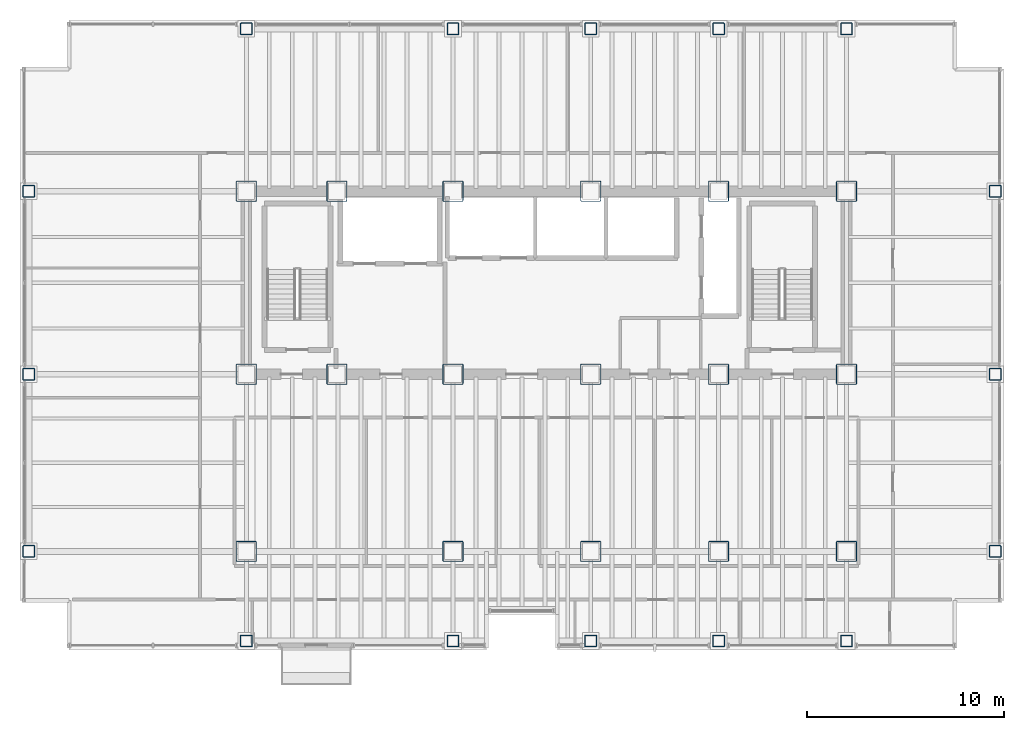
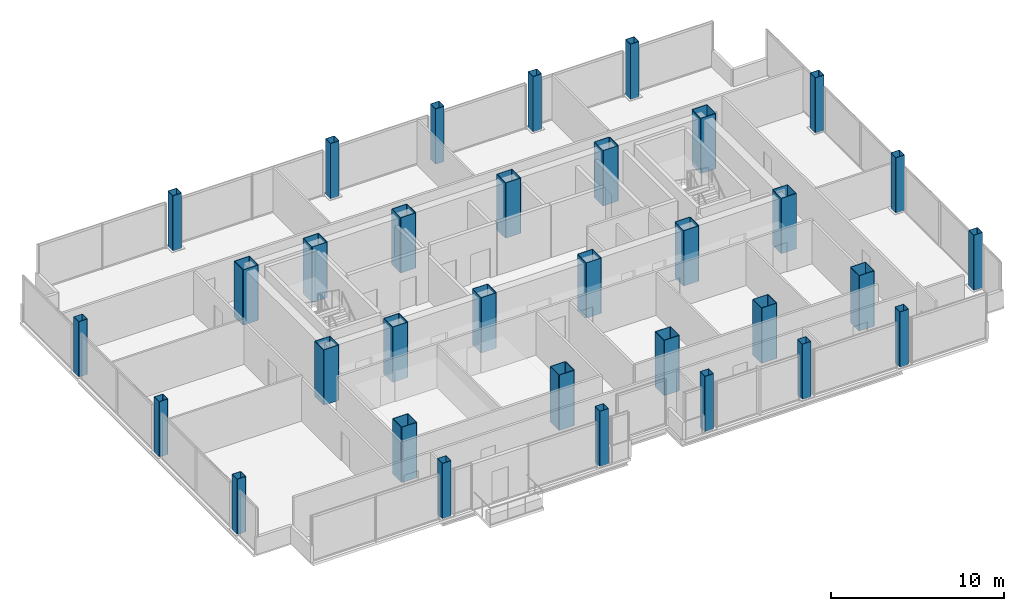
# One storey, part 1 of 21: 33 columns.
"""IFC4 building model written with IfcOpenShell, lengths in metres."""

from ifc_helpers import new_model, si_unit, direction, frame, origin, origin_2d, place, context, subcontext, project, spatial, hollow_rectangle, extrude, material, material_profile, profile_set, type_object, element, save


model = new_model("IFC4")

# Units and contexts
model_context = context("Model", 3, precision=1e-05, world=origin(), true_north=direction((0.0, 1.0)))
body_context = subcontext(model_context, "Body", "Model", "MODEL_VIEW")
ifc_project = project(units=[si_unit("LENGTHUNIT", "METRE"), si_unit("AREAUNIT", "SQUARE_METRE"), si_unit("VOLUMEUNIT", "CUBIC_METRE"), si_unit("PLANEANGLEUNIT", "RADIAN"), si_unit("MASSUNIT", "GRAM", prefix="KILO")], contexts=[model_context])

# Site, building, storey
site_placement = place(None, origin())
site = spatial("IfcSite", under=ifc_project, at=site_placement, CompositionType="ELEMENT")
building_placement = place(site_placement, origin())
building = spatial("IfcBuilding", under=site, at=building_placement, Name="Noeulbin Bourse Tower", CompositionType="ELEMENT")
storey_placement = place(building_placement, frame((0.0, 0.0, 38.199951171875)))
storey = spatial("IfcBuildingStorey", under=building, at=storey_placement, Name="L09", CompositionType="ELEMENT", Elevation=38.199951171875)

# Columns
ifc_material = material(Name="Steel S460", Category="steel")
ifc_material_profile_1 = material_profile(ifc_material, hollow_rectangle(XDim=0.60009765625, YDim=0.60009765625, WallThickness=0.02587890625, InnerFilletRadius=0.012939453125, OuterFilletRadius=0.0390625, at=origin_2d()), Name="BOX-600x600x26", Category="LoadBearing")
ifc_profile_set_1 = profile_set([ifc_material_profile_1], Name="Steel S460")
column_type_1 = type_object("IfcColumnType", Name="COL-PER-Z1", PredefinedType="COLUMN", material=ifc_profile_set_1)
for number, where, z_axis, x_axis, name in (
    (1, (2.449951171875, 20.0, 0.0), (0.0, 0.0, 1.0), (1.0, 0.0, 0.0), "Tower Perimeter Column COL-PER-Z1 01"),
    (2, (2.449951171875, 29.0, 0.0), (0.0, 0.0, 1.0), (1.0, 0.0, 0.0), "Tower Perimeter Column COL-PER-Z1 02"),
    (3, (2.449951171875, 38.300048828125, 0.0), (0.0, 0.0, 1.0), (1.0, 0.0, 0.0), "Tower Perimeter Column COL-PER-Z1 03"),
    (4, (13.5, 15.449951171875, 0.0), (0.0, 0.0, 1.0), (1.0, 0.0, 0.0), "Tower Perimeter Column COL-PER-Z1 04"),
    (5, (13.5, 46.550048828125, 0.0), (0.0, 0.0, 1.0), (1.0, 0.0, 0.0), "Tower Perimeter Column COL-PER-Z1 05"),
    (6, (24.0, 15.449951171875, 0.0), (0.0, 0.0, 1.0), (1.0, 0.0, 0.0), "Tower Perimeter Column COL-PER-Z1 06"),
    (7, (24.0, 46.550048828125, 0.0), (0.0, 0.0, 1.0), (1.0, 0.0, 0.0), "Tower Perimeter Column COL-PER-Z1 07"),
    (8, (31.0, 15.449951171875, 0.0), (0.0, 0.0, 1.0), (1.0, 0.0, 0.0), "Tower Perimeter Column COL-PER-Z1 08"),
    (9, (31.0, 46.550048828125, 0.0), (0.0, 0.0, 1.0), (1.0, 0.0, 0.0), "Tower Perimeter Column COL-PER-Z1 09"),
    (10, (37.5, 15.449951171875, 0.0), (0.0, 0.0, 1.0), (1.0, 0.0, 0.0), "Tower Perimeter Column COL-PER-Z1 10"),
    (11, (37.5, 46.550048828125, 0.0), (0.0, 0.0, 1.0), (1.0, 0.0, 0.0), "Tower Perimeter Column COL-PER-Z1 11"),
    (12, (44.0, 15.449951171875, 0.0), (0.0, 0.0, 1.0), (1.0, 0.0, 0.0), "Tower Perimeter Column COL-PER-Z1 12"),
    (13, (44.0, 46.550048828125, 0.0), (0.0, 0.0, 1.0), (1.0, 0.0, 0.0), "Tower Perimeter Column COL-PER-Z1 13"),
    (14, (51.550048828125, 20.0, 0.0), (0.0, 0.0, 1.0), (1.0, 0.0, 0.0), "Tower Perimeter Column COL-PER-Z1 14"),
    (15, (51.550048828125, 29.0, 0.0), (0.0, 0.0, 1.0), (1.0, 0.0, 0.0), "Tower Perimeter Column COL-PER-Z1 15"),
    (16, (51.550048828125, 38.300048828125, 0.0), (0.0, 0.0, 1.0), (1.0, 0.0, 0.0), "Tower Perimeter Column COL-PER-Z1 16"),
):
    element("IfcColumn", number, at=place(storey_placement, frame(where, z_axis=z_axis, x_axis=x_axis)), inside=storey, type_object=column_type_1, Name=name, PredefinedType="COLUMN", context=body_context, shape_type="SweptSolid", body=[
        extrude(hollow_rectangle(XDim=0.60009765625, YDim=0.60009765625, WallThickness=0.02587890625, InnerFilletRadius=0.012939453125, OuterFilletRadius=0.0390625, at=origin_2d()), origin(), (0.0, 0.0, 1.0), 3.900146484375),
    ])
ifc_material_profile_2 = material_profile(ifc_material, hollow_rectangle(XDim=1.050048828125, YDim=1.050048828125, WallThickness=0.0380859375, InnerFilletRadius=0.01904296875, OuterFilletRadius=0.056884765625, at=origin_2d()), Name="BOX-1050x1050x38", Category="LoadBearing")
ifc_profile_set_2 = profile_set([ifc_material_profile_2], Name="Steel S460")
column_type_2 = type_object("IfcColumnType", Name="COL-TRK-Z1", PredefinedType="COLUMN", material=ifc_profile_set_2)
for number, where, z_axis, x_axis, name in (
    (17, (13.5, 29.0, 0.0), (0.0, 0.0, 1.0), (1.0, 0.0, 0.0), "Tower Trunk Mega-Column COL-TRK-Z1 01"),
    (18, (13.5, 38.300048828125, 0.0), (0.0, 0.0, 1.0), (1.0, 0.0, 0.0), "Tower Trunk Mega-Column COL-TRK-Z1 02"),
    (19, (18.10009765625, 29.0, 0.0), (0.0, 0.0, 1.0), (1.0, 0.0, 0.0), "Tower Trunk Mega-Column COL-TRK-Z1 03"),
    (20, (18.10009765625, 38.300048828125, 0.0), (0.0, 0.0, 1.0), (1.0, 0.0, 0.0), "Tower Trunk Mega-Column COL-TRK-Z1 04"),
    (21, (24.0, 29.0, 0.0), (0.0, 0.0, 1.0), (1.0, 0.0, 0.0), "Tower Trunk Mega-Column COL-TRK-Z1 05"),
    (22, (24.0, 38.300048828125, 0.0), (0.0, 0.0, 1.0), (1.0, 0.0, 0.0), "Tower Trunk Mega-Column COL-TRK-Z1 06"),
    (23, (31.0, 29.0, 0.0), (0.0, 0.0, 1.0), (1.0, 0.0, 0.0), "Tower Trunk Mega-Column COL-TRK-Z1 07"),
    (24, (31.0, 38.300048828125, 0.0), (0.0, 0.0, 1.0), (1.0, 0.0, 0.0), "Tower Trunk Mega-Column COL-TRK-Z1 08"),
    (25, (37.5, 29.0, 0.0), (0.0, 0.0, 1.0), (1.0, 0.0, 0.0), "Tower Trunk Mega-Column COL-TRK-Z1 09"),
    (26, (37.5, 38.300048828125, 0.0), (0.0, 0.0, 1.0), (1.0, 0.0, 0.0), "Tower Trunk Mega-Column COL-TRK-Z1 10"),
    (27, (44.0, 29.0, 0.0), (0.0, 0.0, 1.0), (1.0, 0.0, 0.0), "Tower Trunk Mega-Column COL-TRK-Z1 11"),
    (28, (44.0, 38.300048828125, 0.0), (0.0, 0.0, 1.0), (1.0, 0.0, 0.0), "Tower Trunk Mega-Column COL-TRK-Z1 12"),
    (29, (13.5, 20.0, 0.0), (0.0, 0.0, 1.0), (1.0, 0.0, 0.0), "Tower Trunk Mega-Column COL-TRK-Z1 13"),
    (30, (24.0, 20.0, 0.0), (0.0, 0.0, 1.0), (1.0, 0.0, 0.0), "Tower Trunk Mega-Column COL-TRK-Z1 14"),
    (31, (31.0, 20.0, 0.0), (0.0, 0.0, 1.0), (1.0, 0.0, 0.0), "Tower Trunk Mega-Column COL-TRK-Z1 15"),
    (32, (37.5, 20.0, 0.0), (0.0, 0.0, 1.0), (1.0, 0.0, 0.0), "Tower Trunk Mega-Column COL-TRK-Z1 16"),
    (33, (44.0, 20.0, 0.0), (0.0, 0.0, 1.0), (1.0, 0.0, 0.0), "Tower Trunk Mega-Column COL-TRK-Z1 17"),
):
    element("IfcColumn", number, at=place(storey_placement, frame(where, z_axis=z_axis, x_axis=x_axis)), inside=storey, type_object=column_type_2, Name=name, PredefinedType="COLUMN", context=body_context, shape_type="SweptSolid", body=[
        extrude(hollow_rectangle(XDim=1.050048828125, YDim=1.050048828125, WallThickness=0.0380859375, InnerFilletRadius=0.01904296875, OuterFilletRadius=0.056884765625, at=origin_2d()), origin(), (0.0, 0.0, 1.0), 3.900146484375),
    ])

save(model, "model.ifc")
